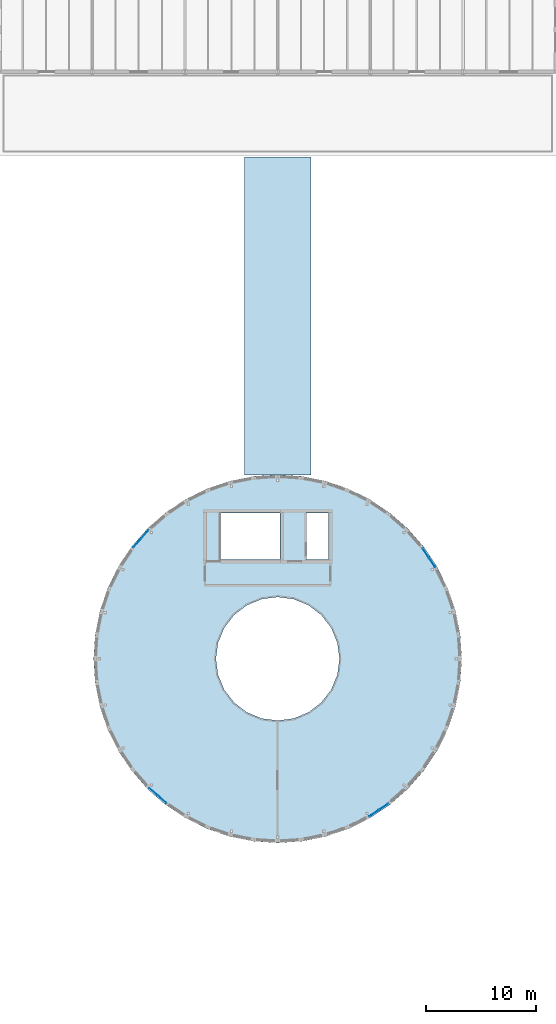
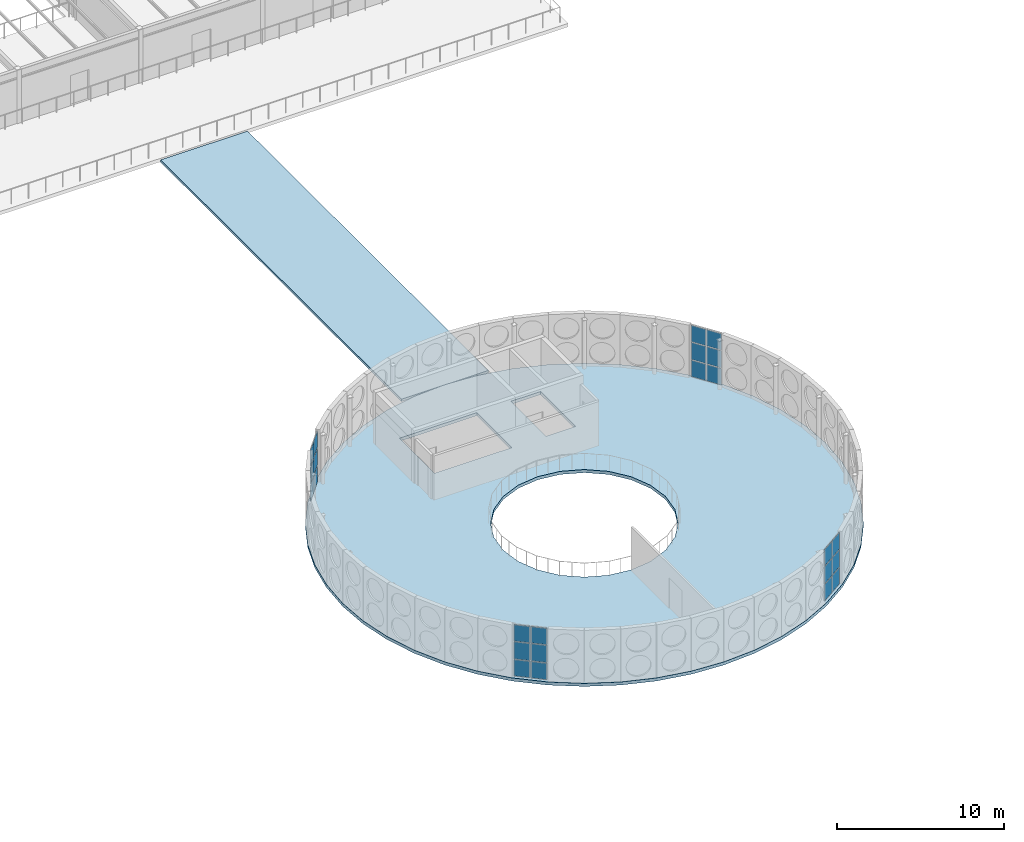
# One storey, part 70 of 114: 24 plates, 2 slabs, 4 elements without a shape of their own.
"""IFC4 building model written with IfcOpenShell, lengths in metres."""

from ifc_helpers import new_model, si_unit, direction, frame, origin, origin_2d, place, context, subcontext, project, spatial, polyline, rectangle, outline, extrude, material, layer, layer_set, type_object, element, aggregate, save


model = new_model("IFC4")

# Units and contexts
model_context = context("Model", 3, precision=1e-05, world=origin(), true_north=direction((0.0, 1.0)))
body_context = subcontext(model_context, "Body", "Model", "MODEL_VIEW")
ifc_project = project(units=[si_unit("LENGTHUNIT", "METRE"), si_unit("AREAUNIT", "SQUARE_METRE"), si_unit("VOLUMEUNIT", "CUBIC_METRE"), si_unit("PLANEANGLEUNIT", "RADIAN"), si_unit("MASSUNIT", "GRAM", prefix="KILO")], contexts=[model_context])

# Site, building, storey
site_placement = place(None, origin())
site = spatial("IfcSite", under=ifc_project, at=site_placement, CompositionType="ELEMENT")
building_placement = place(site_placement, origin())
building = spatial("IfcBuilding", under=site, at=building_placement, Name="Montecoro Central Library", CompositionType="ELEMENT")
storey_placement = place(building_placement, frame((0.0, 0.0, 13.260009765625)))
storey = spatial("IfcBuildingStorey", under=building, at=storey_placement, Name="L03", CompositionType="ELEMENT", Elevation=13.260009765625)

# Curtain wall, plates
ifc_material_1 = material(Name="Bronze-anodised aluminium and low-E glazing", Category="aluminium")
ifc_layer_1 = layer(ifc_material_1, 0.159912109375)
ifc_layer_set_1 = layer_set([ifc_layer_1], Name="Bronze-anodised aluminium and low-E glazing")
curtain_wall_type = type_object("IfcCurtainWallType", Name="CWT-005", PredefinedType="NOTDEFINED", material=ifc_layer_set_1)
curtain_wall_1_placement = place(storey_placement, origin())
curtain_wall_1 = element("IfcCurtainWall", 1, at=curtain_wall_1_placement, inside=storey, type_object=curtain_wall_type, Name="V1-L03-CW-05", PredefinedType="NOTDEFINED")
ifc_material_2 = material(Name="Laminated low-E double glazing", Category="glass")
ifc_layer_2 = layer(ifc_material_2, 0.033935546875)
ifc_layer_set_2 = layer_set([ifc_layer_2], Name="Laminated low-E double glazing")
plate_type = type_object("IfcPlateType", Name="CWP-GLZ-03", PredefinedType="CURTAIN_PANEL", material=ifc_layer_set_2)
plate_1_placement = place(storey_placement, frame((105.596435546875, 44.125244140625, 0.06005859375), z_axis=(0.0, 0.0, 1.0), x_axis=(-0.556097814687, 0.831116851291, 0.0)))
plate_1 = element("IfcPlate", 2, at=plate_1_placement, type_object=plate_type, Name="CW-005 panel 1.1", PredefinedType="CURTAIN_PANEL", context=body_context, shape_type="SweptSolid", body=[
    extrude(rectangle(XDim=0.982666015625, YDim=0.033935546875, at=origin_2d()), origin(), (0.0, 0.0, 1.0), 1.18994140625),
])
plate_2_placement = place(storey_placement, frame((105.596435546875, 44.125244140625, 1.31005859375), z_axis=(0.0, 0.0, 1.0), x_axis=(-0.556097814687, 0.831116851291, 0.0)))
plate_2 = element("IfcPlate", 3, at=plate_2_placement, type_object=plate_type, Name="CW-005 panel 1.2", PredefinedType="CURTAIN_PANEL", context=body_context, shape_type="SweptSolid", body=[
    extrude(rectangle(XDim=0.982666015625, YDim=0.033935546875, at=origin_2d()), origin(), (0.0, 0.0, 1.0), 1.239990234375),
])
plate_3_placement = place(storey_placement, frame((105.596435546875, 44.125244140625, 2.60986328125), z_axis=(0.0, 0.0, 1.0), x_axis=(-0.556097814687, 0.831116851291, 0.0)))
plate_3 = element("IfcPlate", 4, at=plate_3_placement, type_object=plate_type, Name="CW-005 panel 1.3", PredefinedType="CURTAIN_PANEL", context=body_context, shape_type="SweptSolid", body=[
    extrude(rectangle(XDim=0.982666015625, YDim=0.033935546875, at=origin_2d()), origin(), (0.0, 0.0, 1.0), 1.18505859375),
])
plate_4_placement = place(storey_placement, frame((105.0166015625, 44.99169921875, 0.06005859375), z_axis=(0.0, 0.0, 1.0), x_axis=(-0.556097814687, 0.831116851291, 0.0)))
plate_4 = element("IfcPlate", 5, at=plate_4_placement, type_object=plate_type, Name="CW-005 panel 2.1", PredefinedType="CURTAIN_PANEL", context=body_context, shape_type="SweptSolid", body=[
    extrude(rectangle(XDim=0.982666015625, YDim=0.033935546875, at=origin_2d()), origin(), (0.0, 0.0, 1.0), 1.18994140625),
])
plate_5_placement = place(storey_placement, frame((105.0166015625, 44.99169921875, 1.31005859375), z_axis=(0.0, 0.0, 1.0), x_axis=(-0.556097814687, 0.831116851291, 0.0)))
plate_5 = element("IfcPlate", 6, at=plate_5_placement, type_object=plate_type, Name="CW-005 panel 2.2", PredefinedType="CURTAIN_PANEL", context=body_context, shape_type="SweptSolid", body=[
    extrude(rectangle(XDim=0.982666015625, YDim=0.033935546875, at=origin_2d()), origin(), (0.0, 0.0, 1.0), 1.239990234375),
])
plate_6_placement = place(storey_placement, frame((105.0166015625, 44.99169921875, 2.60986328125), z_axis=(0.0, 0.0, 1.0), x_axis=(-0.556097814687, 0.831116851291, 0.0)))
plate_6 = element("IfcPlate", 7, at=plate_6_placement, type_object=plate_type, Name="CW-005 panel 2.3", PredefinedType="CURTAIN_PANEL", context=body_context, shape_type="SweptSolid", body=[
    extrude(rectangle(XDim=0.982666015625, YDim=0.033935546875, at=origin_2d()), origin(), (0.0, 0.0, 1.0), 1.18505859375),
])
aggregate(curtain_wall_1, [plate_1, plate_2, plate_3, plate_4, plate_5, plate_6])

curtain_wall_2_placement = place(storey_placement, origin())
curtain_wall_2 = element("IfcCurtainWall", 8, at=curtain_wall_2_placement, inside=storey, type_object=curtain_wall_type, Name="V1-L03-CW-19", PredefinedType="NOTDEFINED")
plate_7_placement = place(storey_placement, frame((79.55029296875, 46.66064453125, 0.06005859375), z_axis=(0.0, 0.0, 1.0), x_axis=(-0.659692012485, -0.751536059457, 0.0)))
plate_7 = element("IfcPlate", 9, at=plate_7_placement, type_object=plate_type, Name="CW-005 panel 1.1", PredefinedType="CURTAIN_PANEL", context=body_context, shape_type="SweptSolid", body=[
    extrude(rectangle(XDim=0.982421875, YDim=0.033935546875, at=origin_2d()), origin(), (0.0, 0.0, 1.0), 1.18994140625),
])
plate_8_placement = place(storey_placement, frame((79.55029296875, 46.66064453125, 1.31005859375), z_axis=(0.0, 0.0, 1.0), x_axis=(-0.659692012485, -0.751536059457, 0.0)))
plate_8 = element("IfcPlate", 10, at=plate_8_placement, type_object=plate_type, Name="CW-005 panel 1.2", PredefinedType="CURTAIN_PANEL", context=body_context, shape_type="SweptSolid", body=[
    extrude(rectangle(XDim=0.982421875, YDim=0.033935546875, at=origin_2d()), origin(), (0.0, 0.0, 1.0), 1.239990234375),
])
plate_9_placement = place(storey_placement, frame((79.55029296875, 46.66064453125, 2.60986328125), z_axis=(0.0, 0.0, 1.0), x_axis=(-0.659692012485, -0.751536059457, 0.0)))
plate_9 = element("IfcPlate", 11, at=plate_9_placement, type_object=plate_type, Name="CW-005 panel 1.3", PredefinedType="CURTAIN_PANEL", context=body_context, shape_type="SweptSolid", body=[
    extrude(rectangle(XDim=0.982421875, YDim=0.033935546875, at=origin_2d()), origin(), (0.0, 0.0, 1.0), 1.18505859375),
])
plate_10_placement = place(storey_placement, frame((78.862548828125, 45.877197265625, 0.06005859375), z_axis=(0.0, 0.0, 1.0), x_axis=(-0.659692012485, -0.751536059457, 0.0)))
plate_10 = element("IfcPlate", 12, at=plate_10_placement, type_object=plate_type, Name="CW-005 panel 2.1", PredefinedType="CURTAIN_PANEL", context=body_context, shape_type="SweptSolid", body=[
    extrude(rectangle(XDim=0.982421875, YDim=0.033935546875, at=origin_2d()), origin(), (0.0, 0.0, 1.0), 1.18994140625),
])
plate_11_placement = place(storey_placement, frame((78.862548828125, 45.877197265625, 1.31005859375), z_axis=(0.0, 0.0, 1.0), x_axis=(-0.659692012485, -0.751536059457, 0.0)))
plate_11 = element("IfcPlate", 13, at=plate_11_placement, type_object=plate_type, Name="CW-005 panel 2.2", PredefinedType="CURTAIN_PANEL", context=body_context, shape_type="SweptSolid", body=[
    extrude(rectangle(XDim=0.982421875, YDim=0.033935546875, at=origin_2d()), origin(), (0.0, 0.0, 1.0), 1.239990234375),
])
plate_12_placement = place(storey_placement, frame((78.862548828125, 45.877197265625, 2.60986328125), z_axis=(0.0, 0.0, 1.0), x_axis=(-0.659692012485, -0.751536059457, 0.0)))
plate_12 = element("IfcPlate", 14, at=plate_12_placement, type_object=plate_type, Name="CW-005 panel 2.3", PredefinedType="CURTAIN_PANEL", context=body_context, shape_type="SweptSolid", body=[
    extrude(rectangle(XDim=0.982421875, YDim=0.033935546875, at=origin_2d()), origin(), (0.0, 0.0, 1.0), 1.18505859375),
])
aggregate(curtain_wall_2, [plate_7, plate_8, plate_9, plate_10, plate_11, plate_12])

curtain_wall_3_placement = place(storey_placement, origin())
curtain_wall_3 = element("IfcCurtainWall", 15, at=curtain_wall_3_placement, inside=storey, type_object=curtain_wall_type, Name="V1-L03-CW-31", PredefinedType="NOTDEFINED")
plate_13_placement = place(storey_placement, frame((80.33935546875, 23.350341796875, 0.06005859375), z_axis=(0.0, 0.0, 1.0), x_axis=(0.751536059457, -0.659692012485, 0.0)))
plate_13 = element("IfcPlate", 16, at=plate_13_placement, type_object=plate_type, Name="CW-005 panel 1.1", PredefinedType="CURTAIN_PANEL", context=body_context, shape_type="SweptSolid", body=[
    extrude(rectangle(XDim=0.982421875, YDim=0.033935546875, at=origin_2d()), origin(), (0.0, 0.0, 1.0), 1.18994140625),
])
plate_14_placement = place(storey_placement, frame((80.33935546875, 23.350341796875, 1.31005859375), z_axis=(0.0, 0.0, 1.0), x_axis=(0.751536059457, -0.659692012485, 0.0)))
plate_14 = element("IfcPlate", 17, at=plate_14_placement, type_object=plate_type, Name="CW-005 panel 1.2", PredefinedType="CURTAIN_PANEL", context=body_context, shape_type="SweptSolid", body=[
    extrude(rectangle(XDim=0.982421875, YDim=0.033935546875, at=origin_2d()), origin(), (0.0, 0.0, 1.0), 1.239990234375),
])
plate_15_placement = place(storey_placement, frame((80.33935546875, 23.350341796875, 2.60986328125), z_axis=(0.0, 0.0, 1.0), x_axis=(0.751536059457, -0.659692012485, 0.0)))
plate_15 = element("IfcPlate", 18, at=plate_15_placement, type_object=plate_type, Name="CW-005 panel 1.3", PredefinedType="CURTAIN_PANEL", context=body_context, shape_type="SweptSolid", body=[
    extrude(rectangle(XDim=0.982421875, YDim=0.033935546875, at=origin_2d()), origin(), (0.0, 0.0, 1.0), 1.18505859375),
])
plate_16_placement = place(storey_placement, frame((81.122802734375, 22.66259765625, 0.06005859375), z_axis=(0.0, 0.0, 1.0), x_axis=(0.751536059457, -0.659692012485, 0.0)))
plate_16 = element("IfcPlate", 19, at=plate_16_placement, type_object=plate_type, Name="CW-005 panel 2.1", PredefinedType="CURTAIN_PANEL", context=body_context, shape_type="SweptSolid", body=[
    extrude(rectangle(XDim=0.982421875, YDim=0.033935546875, at=origin_2d()), origin(), (0.0, 0.0, 1.0), 1.18994140625),
])
plate_17_placement = place(storey_placement, frame((81.122802734375, 22.66259765625, 1.31005859375), z_axis=(0.0, 0.0, 1.0), x_axis=(0.751536059457, -0.659692012485, 0.0)))
plate_17 = element("IfcPlate", 20, at=plate_17_placement, type_object=plate_type, Name="CW-005 panel 2.2", PredefinedType="CURTAIN_PANEL", context=body_context, shape_type="SweptSolid", body=[
    extrude(rectangle(XDim=0.982421875, YDim=0.033935546875, at=origin_2d()), origin(), (0.0, 0.0, 1.0), 1.239990234375),
])
plate_18_placement = place(storey_placement, frame((81.122802734375, 22.66259765625, 2.60986328125), z_axis=(0.0, 0.0, 1.0), x_axis=(0.751536059457, -0.659692012485, 0.0)))
plate_18 = element("IfcPlate", 21, at=plate_18_placement, type_object=plate_type, Name="CW-005 panel 2.3", PredefinedType="CURTAIN_PANEL", context=body_context, shape_type="SweptSolid", body=[
    extrude(rectangle(XDim=0.982421875, YDim=0.033935546875, at=origin_2d()), origin(), (0.0, 0.0, 1.0), 1.18505859375),
])
aggregate(curtain_wall_3, [plate_13, plate_14, plate_15, plate_16, plate_17, plate_18])

curtain_wall_4_placement = place(storey_placement, origin())
curtain_wall_4 = element("IfcCurtainWall", 22, at=curtain_wall_4_placement, inside=storey, type_object=curtain_wall_type, Name="V1-L03-CW-41", PredefinedType="NOTDEFINED")
plate_19_placement = place(storey_placement, frame((100.3251953125, 21.403564453125, 0.06005859375), z_axis=(0.0, 0.0, 1.0), x_axis=(0.831116851291, 0.556097814687, 0.0)))
plate_19 = element("IfcPlate", 23, at=plate_19_placement, type_object=plate_type, Name="CW-005 panel 1.1", PredefinedType="CURTAIN_PANEL", context=body_context, shape_type="SweptSolid", body=[
    extrude(rectangle(XDim=0.982666015625, YDim=0.033935546875, at=origin_2d()), origin(), (0.0, 0.0, 1.0), 1.18994140625),
])
plate_20_placement = place(storey_placement, frame((100.3251953125, 21.403564453125, 1.31005859375), z_axis=(0.0, 0.0, 1.0), x_axis=(0.831116851291, 0.556097814687, 0.0)))
plate_20 = element("IfcPlate", 24, at=plate_20_placement, type_object=plate_type, Name="CW-005 panel 1.2", PredefinedType="CURTAIN_PANEL", context=body_context, shape_type="SweptSolid", body=[
    extrude(rectangle(XDim=0.982666015625, YDim=0.033935546875, at=origin_2d()), origin(), (0.0, 0.0, 1.0), 1.239990234375),
])
plate_21_placement = place(storey_placement, frame((100.3251953125, 21.403564453125, 2.60986328125), z_axis=(0.0, 0.0, 1.0), x_axis=(0.831116851291, 0.556097814687, 0.0)))
plate_21 = element("IfcPlate", 25, at=plate_21_placement, type_object=plate_type, Name="CW-005 panel 1.3", PredefinedType="CURTAIN_PANEL", context=body_context, shape_type="SweptSolid", body=[
    extrude(rectangle(XDim=0.982666015625, YDim=0.033935546875, at=origin_2d()), origin(), (0.0, 0.0, 1.0), 1.18505859375),
])
plate_22_placement = place(storey_placement, frame((101.19189453125, 21.9833984375, 0.06005859375), z_axis=(0.0, 0.0, 1.0), x_axis=(0.831116851291, 0.556097814687, 0.0)))
plate_22 = element("IfcPlate", 26, at=plate_22_placement, type_object=plate_type, Name="CW-005 panel 2.1", PredefinedType="CURTAIN_PANEL", context=body_context, shape_type="SweptSolid", body=[
    extrude(rectangle(XDim=0.982666015625, YDim=0.033935546875, at=origin_2d()), origin(), (0.0, 0.0, 1.0), 1.18994140625),
])
plate_23_placement = place(storey_placement, frame((101.19189453125, 21.9833984375, 1.31005859375), z_axis=(0.0, 0.0, 1.0), x_axis=(0.831116851291, 0.556097814687, 0.0)))
plate_23 = element("IfcPlate", 27, at=plate_23_placement, type_object=plate_type, Name="CW-005 panel 2.2", PredefinedType="CURTAIN_PANEL", context=body_context, shape_type="SweptSolid", body=[
    extrude(rectangle(XDim=0.982666015625, YDim=0.033935546875, at=origin_2d()), origin(), (0.0, 0.0, 1.0), 1.239990234375),
])
plate_24_placement = place(storey_placement, frame((101.19189453125, 21.9833984375, 2.60986328125), z_axis=(0.0, 0.0, 1.0), x_axis=(0.831116851291, 0.556097814687, 0.0)))
plate_24 = element("IfcPlate", 28, at=plate_24_placement, type_object=plate_type, Name="CW-005 panel 2.3", PredefinedType="CURTAIN_PANEL", context=body_context, shape_type="SweptSolid", body=[
    extrude(rectangle(XDim=0.982666015625, YDim=0.033935546875, at=origin_2d()), origin(), (0.0, 0.0, 1.0), 1.18505859375),
])
aggregate(curtain_wall_4, [plate_19, plate_20, plate_21, plate_22, plate_23, plate_24])

# Slabs
ifc_material_3 = material(Name="Concrete C32/40", Category="concrete")
ifc_layer_3 = layer(ifc_material_3, 0.22509765625)
ifc_layer_set_3 = layer_set([ifc_layer_3], Name="Concrete C32/40")
slab_type_1 = type_object("IfcSlabType", Name="SL-FLR-225", PredefinedType="FLOOR", material=ifc_layer_set_3)
slab_1_placement = place(storey_placement, frame((0.0, 0.0, -0.22509765625)))
element("IfcSlab", 29, at=slab_1_placement, inside=storey, type_object=slab_type_1, Name="V1-L03-SLAB", PredefinedType="FLOOR", context=body_context, shape_type="SweptSolid", body=[
    extrude(outline(polyline([(108.280029296875, 35.39990234375), (108.136962890625, 37.576904296875), (107.7119140625, 39.717041015625), (107.010009765625, 41.782958984375), (106.044921875, 43.739990234375), (104.8330078125, 45.553955078125), (103.39501953125, 47.195068359375), (101.75390625, 48.633056640625), (99.93994140625, 49.844970703125), (97.98291015625, 50.81005859375), (95.9169921875, 51.511962890625), (93.777099609375, 51.93701171875), (91.60009765625, 52.080078125), (89.423095703125, 51.93701171875), (87.282958984375, 51.511962890625), (85.217041015625, 50.81005859375), (83.260009765625, 49.844970703125), (81.446044921875, 48.633056640625), (79.804931640625, 47.195068359375), (78.366943359375, 45.553955078125), (77.155029296875, 43.739990234375), (76.18994140625, 41.782958984375), (75.488037109375, 39.717041015625), (75.06298828125, 37.576904296875), (74.919921875, 35.39990234375), (75.06298828125, 33.222900390625), (75.488037109375, 31.0830078125), (76.18994140625, 29.01708984375), (77.155029296875, 27.06005859375), (78.366943359375, 25.24609375), (79.804931640625, 23.60498046875), (81.446044921875, 22.1669921875), (83.260009765625, 20.955078125), (85.217041015625, 19.989990234375), (87.282958984375, 19.2880859375), (89.423095703125, 18.863037109375), (91.60009765625, 18.719970703125), (93.777099609375, 18.863037109375), (95.9169921875, 19.2880859375), (97.98291015625, 19.989990234375), (99.93994140625, 20.955078125), (101.75390625, 22.1669921875), (103.39501953125, 23.60498046875), (104.8330078125, 25.24609375), (106.044921875, 27.06005859375), (107.010009765625, 29.01708984375), (107.7119140625, 31.0830078125), (108.136962890625, 33.222900390625), (108.280029296875, 35.39990234375)]), holes=[polyline([(86.4599609375, 48.60009765625), (91.800048828125, 48.60009765625), (91.800048828125, 44.39990234375), (86.4599609375, 44.39990234375), (86.4599609375, 48.60009765625)]), polyline([(94.14990234375, 48.60009765625), (96.199951171875, 48.60009765625), (96.199951171875, 44.39990234375), (94.14990234375, 44.39990234375), (94.14990234375, 48.60009765625)]), polyline([(97.009033203125, 33.950927734375), (96.449951171875, 32.60009765625), (95.56005859375, 31.43994140625), (94.39990234375, 30.550048828125), (93.049072265625, 29.990966796875), (91.60009765625, 29.800048828125), (90.15087890625, 29.990966796875), (88.800048828125, 30.550048828125), (87.639892578125, 31.43994140625), (86.75, 32.60009765625), (86.19091796875, 33.950927734375), (86.0, 35.39990234375), (86.19091796875, 36.84912109375), (86.75, 38.199951171875), (87.639892578125, 39.360107421875), (88.800048828125, 40.25), (90.15087890625, 40.80908203125), (91.60009765625, 41.0), (93.049072265625, 40.80908203125), (94.39990234375, 40.25), (95.56005859375, 39.360107421875), (96.449951171875, 38.199951171875), (97.009033203125, 36.84912109375), (97.199951171875, 35.39990234375), (97.009033203125, 33.950927734375)])]), origin(), (0.0, 0.0, 1.0), 0.22509765625),
])
ifc_layer_4 = layer(ifc_material_3, 0.172119140625)
ifc_layer_set_4 = layer_set([ifc_layer_4], Name="Concrete C32/40")
slab_type_2 = type_object("IfcSlabType", Name="SL-ROOF-172", PredefinedType="ROOF", material=ifc_layer_set_4)
slab_2_placement = place(storey_placement, frame((0.0, 0.0, -0.172119140625)))
element("IfcSlab", 30, at=slab_2_placement, inside=storey, type_object=slab_type_2, Name="BR-N Skybridge Link Bridge Slab", PredefinedType="ROOF", context=body_context, shape_type="SweptSolid", body=[
    extrude(outline(polyline([(88.60009765625, 52.06005859375), (94.60009765625, 52.06005859375), (94.60009765625, 80.860107421875), (88.60009765625, 80.860107421875), (88.60009765625, 52.06005859375)])), origin(), (0.0, 0.0, 1.0), 0.172119140625),
])

save(model, "model.ifc")
